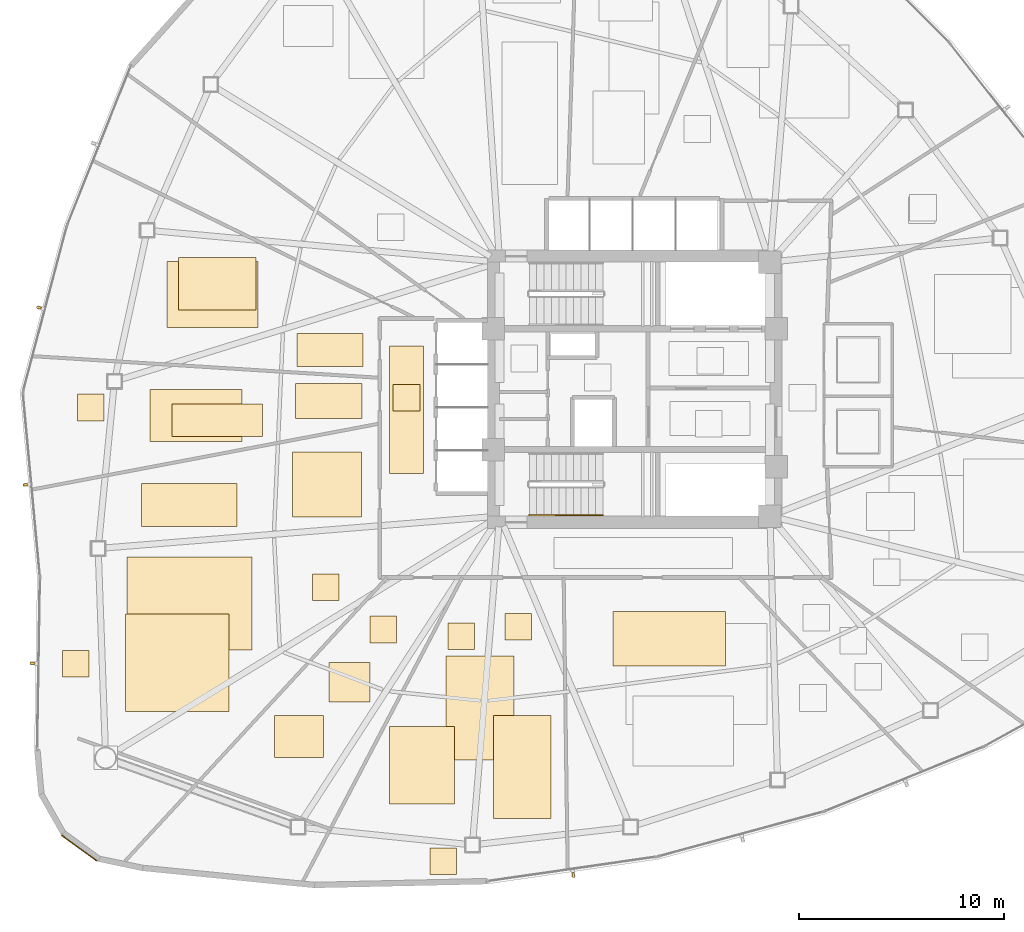
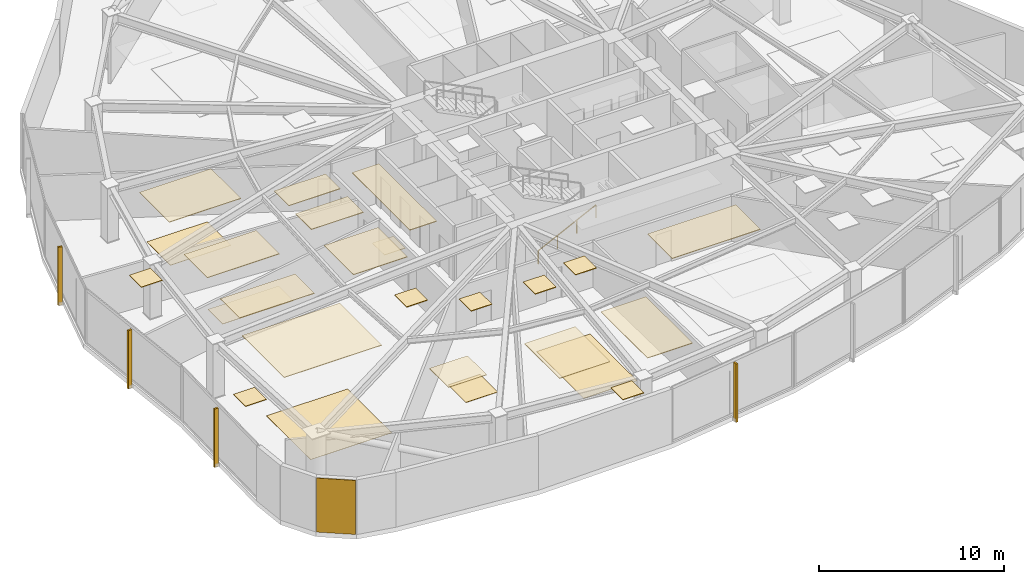
# One storey, part 14 of 17: 26 coverings, 4 shading devices, 1 railing.
"""IFC4 building model written with IfcOpenShell, lengths in metres."""

from ifc_helpers import new_model, si_unit, direction, frame, origin, origin_2d, place, context, subcontext, project, spatial, polyline, rectangle, outline, extrude, source, transform, mapped, material, layer, layer_set, type_object, type_shapes, element, save


model = new_model("IFC4")

# Units and contexts
model_context = context("Model", 3, precision=1e-05, world=origin(), true_north=direction((0.0, 1.0)))
body_context = subcontext(model_context, "Body", "Model", "MODEL_VIEW")
ifc_project = project(units=[si_unit("LENGTHUNIT", "METRE"), si_unit("AREAUNIT", "SQUARE_METRE"), si_unit("VOLUMEUNIT", "CUBIC_METRE"), si_unit("PLANEANGLEUNIT", "RADIAN"), si_unit("MASSUNIT", "GRAM", prefix="KILO")], contexts=[model_context])

# Site, building, storey
site_placement = place(None, origin())
site = spatial("IfcSite", under=ifc_project, at=site_placement, CompositionType="ELEMENT")
building_placement = place(site_placement, origin())
building = spatial("IfcBuilding", under=site, at=building_placement, Name="Tavelor Broadcast Tower", CompositionType="ELEMENT")
storey_placement = place(building_placement, frame((0.0, 0.0, 74.39990234375)))
storey = spatial("IfcBuildingStorey", under=building, at=storey_placement, Name="L17", CompositionType="ELEMENT", Elevation=74.39990234375)

# Coverings
ifc_material_1 = material(Name="Copper-Bronze Anodized Aluminium", Category="aluminium")
ifc_layer_1 = layer(ifc_material_1, 0.044921875)
ifc_layer_set_1 = layer_set([ifc_layer_1], Name="Copper-Bronze Anodized Aluminium")
covering_type_1 = type_object("IfcCoveringType", Name="Anodised Bronze Linear Slatted Concourse Ceiling 45 mm", PredefinedType="CEILING", material=ifc_layer_set_1)
covering_1_placement = place(storey_placement, frame((0.0, 0.0, 3.55517578125)))
element("IfcCovering", 1, at=covering_1_placement, inside=storey, type_object=covering_type_1, Name="L17 Suspended Acoustic Ceiling 0691", PredefinedType="CEILING", context=body_context, shape_type="SweptSolid", body=[
    extrude(outline(polyline([(38.01611328125, 40.868896484375), (39.683837890625, 40.868896484375), (39.683837890625, 47.096923828125), (38.01611328125, 47.096923828125), (38.01611328125, 40.868896484375)])), origin(), (0.0, 0.0, 1.0), 0.044921875),
])
ifc_layer_2 = layer(ifc_material_1, 0.050048828125)
ifc_layer_set_2 = layer_set([ifc_layer_2], Name="Copper-Bronze Anodized Aluminium")
covering_type_2 = type_object("IfcCoveringType", Name="Champagne-Bronze Corner Pier Metal Cladding 50 mm", PredefinedType="CLADDING", material=ifc_layer_set_2)
covering_2_placement = place(storey_placement, frame((22.87158203125, 22.583984375, 0.02001953125), z_axis=(0.0, 0.0, 1.0), x_axis=(0.807475405485, -0.589901237104, 0.0)))
element("IfcCovering", 2, at=covering_2_placement, inside=storey, type_object=covering_type_2, Name="L17 Champagne-Bronze Corner Cladding 13", PredefinedType="CLADDING", context=body_context, shape_type="SweptSolid", body=[
    extrude(rectangle(XDim=2.11962890625, YDim=0.050048828125, at=origin_2d()), origin(), (0.0, 0.0, 1.0), 3.56005859375),
])

# Railing
ifc_material_2 = material(Name="Steel S355", Category="steel")
railing_type = type_object("IfcRailingType", Name="Continuous Brushed Stainless Handrail 900 mm", PredefinedType="HANDRAIL", material=ifc_material_2)
railing_placement = place(storey_placement, frame((44.85009765625, 38.85009765625, 0.177490234375)))
element("IfcRailing", 3, at=railing_placement, inside=storey, type_object=railing_type, Name="L17 ST2 stair handrail 1", PredefinedType="HANDRAIL", context=body_context, shape_type="SweptSolid", body=[
    extrude(rectangle(XDim=0.048095703125, YDim=0.048095703125, at=origin_2d()), frame((0.0, 0.0, 0.8759765625), z_axis=(0.897124305991, 0.0, 0.441778201817), x_axis=(0.0, 1.0, 0.0)), (0.0, 0.0, 1.0), 4.0126953125),
    extrude(rectangle(XDim=0.0419921875, YDim=0.0419921875, at=origin_2d()), origin(), (0.0, 0.0, 1.0), 0.851806640625),
    extrude(rectangle(XDim=0.0419921875, YDim=0.0419921875, at=origin_2d()), frame((1.199951171875, 0.0, 0.5908203125)), (0.0, 0.0, 1.0), 0.851806640625),
    extrude(rectangle(XDim=0.0419921875, YDim=0.0419921875, at=origin_2d()), frame((2.39990234375, 0.0, 1.181884765625)), (0.0, 0.0, 1.0), 0.851806640625),
    extrude(rectangle(XDim=0.0419921875, YDim=0.0419921875, at=origin_2d()), frame((3.599853515625, 0.0, 1.772705078125)), (0.0, 0.0, 1.0), 0.851806640625),
])

# Coverings
ifc_material_3 = material(Name="Acoustic Nylon Carpet Tile")
ifc_layer_3 = layer(ifc_material_3, 0.02001953125)
ifc_layer_set_3 = layer_set([ifc_layer_3], Name="Acoustic Nylon Carpet Tile")
covering_type_3 = type_object("IfcCoveringType", Name="Heavy-Duty Acoustic Broadcast Carpet Tile 20 mm", PredefinedType="FLOORING", material=ifc_layer_set_3)
covering_3_placement = place(storey_placement, origin())
element("IfcCovering", 4, at=covering_3_placement, inside=storey, type_object=covering_type_3, Name="L17 Broadcast Floor Finish 0243", PredefinedType="FLOORING", context=body_context, shape_type="SweptSolid", body=[
    extrude(outline(polyline([(40.779296875, 26.881591796875), (44.10498046875, 26.881591796875), (44.10498046875, 31.9638671875), (40.779296875, 31.9638671875), (40.779296875, 26.881591796875)])), origin(), (0.0, 0.0, 1.0), 0.02001953125),
])
covering_4_placement = place(storey_placement, origin())
element("IfcCovering", 5, at=covering_4_placement, inside=storey, type_object=covering_type_3, Name="L17 Broadcast Floor Finish 0244", PredefinedType="FLOORING", context=body_context, shape_type="SweptSolid", body=[
    extrude(outline(polyline([(35.07373046875, 29.72265625), (37.064208984375, 29.72265625), (37.064208984375, 31.639404296875), (35.07373046875, 31.639404296875), (35.07373046875, 29.72265625)])), origin(), (0.0, 0.0, 1.0), 0.02001953125),
])
covering_5_placement = place(storey_placement, origin())
element("IfcCovering", 6, at=covering_5_placement, inside=storey, type_object=covering_type_3, Name="L17 Broadcast Floor Finish 0245", PredefinedType="FLOORING", context=body_context, shape_type="SweptSolid", body=[
    extrude(outline(polyline([(25.130615234375, 29.256103515625), (30.18798828125, 29.256103515625), (30.18798828125, 34.021728515625), (25.130615234375, 34.021728515625), (25.130615234375, 29.256103515625)])), origin(), (0.0, 0.0, 1.0), 0.02001953125),
])
covering_6_placement = place(storey_placement, origin())
element("IfcCovering", 7, at=covering_6_placement, inside=storey, type_object=covering_type_3, Name="L17 Broadcast Floor Finish 0246", PredefinedType="FLOORING", context=body_context, shape_type="SweptSolid", body=[
    extrude(outline(polyline([(27.395751953125, 42.67529296875), (31.81201171875, 42.67529296875), (31.81201171875, 44.2705078125), (27.395751953125, 44.2705078125), (27.395751953125, 42.67529296875)])), origin(), (0.0, 0.0, 1.0), 0.02001953125),
])
covering_7_placement = place(storey_placement, origin())
element("IfcCovering", 8, at=covering_7_placement, inside=storey, type_object=covering_type_3, Name="L17 Broadcast Floor Finish 0247", PredefinedType="FLOORING", context=body_context, shape_type="SweptSolid", body=[
    extrude(outline(polyline([(27.718994140625, 48.868896484375), (31.49951171875, 48.868896484375), (31.49951171875, 51.42236328125), (27.718994140625, 51.42236328125), (27.718994140625, 48.868896484375)])), origin(), (0.0, 0.0, 1.0), 0.02001953125),
])
ifc_material_4 = material(Name="Honed Natural Limestone Tile", Category="masonry")
ifc_layer_4 = layer(ifc_material_4, 0.030029296875)
ifc_layer_set_4 = layer_set([ifc_layer_4], Name="Honed Natural Limestone Tile")
covering_type_4 = type_object("IfcCoveringType", Name="Honed Jerusalem Limestone Concourse Flooring 30 mm", PredefinedType="FLOORING", material=ifc_layer_set_4)
covering_8_placement = place(storey_placement, origin())
element("IfcCovering", 9, at=covering_8_placement, inside=storey, type_object=covering_type_4, Name="L17 Broadcast Floor Finish 0238", PredefinedType="FLOORING", context=body_context, shape_type="SweptSolid", body=[
    extrude(outline(polyline([(38.199951171875, 43.925048828125), (39.5, 43.925048828125), (39.5, 45.22509765625), (38.199951171875, 45.22509765625), (38.199951171875, 43.925048828125)])), origin(), (0.0, 0.0, 1.0), 0.030029296875),
])
ifc_material_5 = material(Name="Acoustic Mineral Fibre Tile")
ifc_layer_5 = layer(ifc_material_5, 0.0400390625)
ifc_layer_set_5 = layer_set([ifc_layer_5], Name="Acoustic Mineral Fibre Tile")
covering_type_5 = type_object("IfcCoveringType", Name="Suspended Acoustic Mineral-Fibre Office Ceiling 40 mm", PredefinedType="CEILING", material=ifc_layer_set_5)
covering_9_placement = place(storey_placement, frame((0.0, 0.0, 3.56005859375)))
element("IfcCovering", 10, at=covering_9_placement, inside=storey, type_object=covering_type_5, Name="L17 Suspended Acoustic Ceiling 0696", PredefinedType="CEILING", context=body_context, shape_type="SweptSolid", body=[
    extrude(outline(polyline([(48.93310546875, 31.4697265625), (54.43603515625, 31.4697265625), (54.43603515625, 34.13134765625), (48.93310546875, 34.13134765625), (48.93310546875, 31.4697265625)])), origin(), (0.0, 0.0, 1.0), 0.0400390625),
])
covering_10_placement = place(storey_placement, frame((0.0, 0.0, 3.56005859375)))
element("IfcCovering", 11, at=covering_10_placement, inside=storey, type_object=covering_type_5, Name="L17 Suspended Acoustic Ceiling 0699", PredefinedType="CEILING", context=body_context, shape_type="SweptSolid", body=[
    extrude(outline(polyline([(38.029052734375, 24.7421875), (41.1904296875, 24.7421875), (41.1904296875, 28.5283203125), (38.029052734375, 28.5283203125), (38.029052734375, 24.7421875)])), origin(), (0.0, 0.0, 1.0), 0.0400390625),
])
covering_11_placement = place(storey_placement, frame((0.0, 0.0, 3.56005859375)))
element("IfcCovering", 12, at=covering_11_placement, inside=storey, type_object=covering_type_5, Name="L17 Suspended Acoustic Ceiling 0700", PredefinedType="CEILING", context=body_context, shape_type="SweptSolid", body=[
    extrude(outline(polyline([(40.868408203125, 32.272705078125), (42.168212890625, 32.272705078125), (42.168212890625, 33.572509765625), (40.868408203125, 33.572509765625), (40.868408203125, 32.272705078125)])), origin(), (0.0, 0.0, 1.0), 0.0400390625),
])
covering_12_placement = place(storey_placement, frame((0.0, 0.0, 3.56005859375)))
element("IfcCovering", 13, at=covering_12_placement, inside=storey, type_object=covering_type_5, Name="L17 Suspended Acoustic Ceiling 0701", PredefinedType="CEILING", context=body_context, shape_type="SweptSolid", body=[
    extrude(outline(polyline([(43.654541015625, 32.74755859375), (44.95458984375, 32.74755859375), (44.95458984375, 34.047607421875), (43.654541015625, 34.047607421875), (43.654541015625, 32.74755859375)])), origin(), (0.0, 0.0, 1.0), 0.0400390625),
])
covering_13_placement = place(storey_placement, frame((0.0, 0.0, 3.56005859375)))
element("IfcCovering", 14, at=covering_13_placement, inside=storey, type_object=covering_type_5, Name="L17 Suspended Acoustic Ceiling 0702", PredefinedType="CEILING", context=body_context, shape_type="SweptSolid", body=[
    extrude(outline(polyline([(43.102294921875, 24.02880859375), (45.912109375, 24.02880859375), (45.912109375, 29.0615234375), (43.102294921875, 29.0615234375), (43.102294921875, 24.02880859375)])), origin(), (0.0, 0.0, 1.0), 0.0400390625),
])
covering_14_placement = place(storey_placement, frame((0.0, 0.0, 3.56005859375)))
element("IfcCovering", 15, at=covering_14_placement, inside=storey, type_object=covering_type_5, Name="L17 Suspended Acoustic Ceiling 0703", PredefinedType="CEILING", context=body_context, shape_type="SweptSolid", body=[
    extrude(outline(polyline([(39.990478515625, 21.29638671875), (41.29052734375, 21.29638671875), (41.29052734375, 22.596435546875), (39.990478515625, 22.596435546875), (39.990478515625, 21.29638671875)])), origin(), (0.0, 0.0, 1.0), 0.0400390625),
])
covering_15_placement = place(storey_placement, frame((0.0, 0.0, 3.56005859375)))
element("IfcCovering", 16, at=covering_15_placement, inside=storey, type_object=covering_type_5, Name="L17 Suspended Acoustic Ceiling 0704", PredefinedType="CEILING", context=body_context, shape_type="SweptSolid", body=[
    extrude(outline(polyline([(32.41748046875, 27.000732421875), (34.799560546875, 27.000732421875), (34.799560546875, 29.06494140625), (32.41748046875, 29.06494140625), (32.41748046875, 27.000732421875)])), origin(), (0.0, 0.0, 1.0), 0.0400390625),
])
covering_16_placement = place(storey_placement, frame((0.0, 0.0, 3.56005859375)))
element("IfcCovering", 17, at=covering_16_placement, inside=storey, type_object=covering_type_5, Name="L17 Suspended Acoustic Ceiling 0705", PredefinedType="CEILING", context=body_context, shape_type="SweptSolid", body=[
    extrude(outline(polyline([(37.070556640625, 32.61328125), (38.37060546875, 32.61328125), (38.37060546875, 33.913330078125), (37.070556640625, 33.913330078125), (37.070556640625, 32.61328125)])), origin(), (0.0, 0.0, 1.0), 0.0400390625),
])
covering_17_placement = place(storey_placement, frame((0.0, 0.0, 3.56005859375)))
element("IfcCovering", 18, at=covering_17_placement, inside=storey, type_object=covering_type_5, Name="L17 Suspended Acoustic Ceiling 0706", PredefinedType="CEILING", context=body_context, shape_type="SweptSolid", body=[
    extrude(outline(polyline([(22.048095703125, 30.939697265625), (23.34814453125, 30.939697265625), (23.34814453125, 32.239501953125), (22.048095703125, 32.239501953125), (22.048095703125, 30.939697265625)])), origin(), (0.0, 0.0, 1.0), 0.0400390625),
])
covering_18_placement = place(storey_placement, frame((0.0, 0.0, 3.56005859375)))
element("IfcCovering", 19, at=covering_18_placement, inside=storey, type_object=covering_type_5, Name="L17 Suspended Acoustic Ceiling 0707", PredefinedType="CEILING", context=body_context, shape_type="SweptSolid", body=[
    extrude(outline(polyline([(25.921630859375, 38.293212890625), (30.58642578125, 38.293212890625), (30.58642578125, 40.3837890625), (25.921630859375, 40.3837890625), (25.921630859375, 38.293212890625)])), origin(), (0.0, 0.0, 1.0), 0.0400390625),
])
covering_19_placement = place(storey_placement, frame((0.0, 0.0, 3.56005859375)))
element("IfcCovering", 20, at=covering_19_placement, inside=storey, type_object=covering_type_5, Name="L17 Suspended Acoustic Ceiling 0708", PredefinedType="CEILING", context=body_context, shape_type="SweptSolid", body=[
    extrude(outline(polyline([(33.28466796875, 38.75048828125), (36.64892578125, 38.75048828125), (36.64892578125, 41.927001953125), (33.28466796875, 41.927001953125), (33.28466796875, 38.75048828125)])), origin(), (0.0, 0.0, 1.0), 0.0400390625),
])
covering_20_placement = place(storey_placement, frame((0.0, 0.0, 3.56005859375)))
element("IfcCovering", 21, at=covering_20_placement, inside=storey, type_object=covering_type_5, Name="L17 Suspended Acoustic Ceiling 0709", PredefinedType="CEILING", context=body_context, shape_type="SweptSolid", body=[
    extrude(outline(polyline([(34.251220703125, 34.6806640625), (35.551025390625, 34.6806640625), (35.551025390625, 35.980712890625), (34.251220703125, 35.980712890625), (34.251220703125, 34.6806640625)])), origin(), (0.0, 0.0, 1.0), 0.0400390625),
])
covering_21_placement = place(storey_placement, frame((0.0, 0.0, 3.56005859375)))
element("IfcCovering", 22, at=covering_21_placement, inside=storey, type_object=covering_type_5, Name="L17 Suspended Acoustic Ceiling 0710", PredefinedType="CEILING", context=body_context, shape_type="SweptSolid", body=[
    extrude(outline(polyline([(25.208740234375, 32.24951171875), (31.298828125, 32.24951171875), (31.298828125, 36.802734375), (25.208740234375, 36.802734375), (25.208740234375, 32.24951171875)])), origin(), (0.0, 0.0, 1.0), 0.0400390625),
])
covering_22_placement = place(storey_placement, frame((0.0, 0.0, 3.56005859375)))
element("IfcCovering", 23, at=covering_22_placement, inside=storey, type_object=covering_type_5, Name="L17 Suspended Acoustic Ceiling 0711", PredefinedType="CEILING", context=body_context, shape_type="SweptSolid", body=[
    extrude(outline(polyline([(33.44140625, 43.568603515625), (36.67431640625, 43.568603515625), (36.67431640625, 45.27490234375), (33.44140625, 45.27490234375), (33.44140625, 43.568603515625)])), origin(), (0.0, 0.0, 1.0), 0.0400390625),
])
covering_23_placement = place(storey_placement, frame((0.0, 0.0, 3.56005859375)))
element("IfcCovering", 24, at=covering_23_placement, inside=storey, type_object=covering_type_5, Name="L17 Suspended Acoustic Ceiling 0712", PredefinedType="CEILING", context=body_context, shape_type="SweptSolid", body=[
    extrude(outline(polyline([(26.31787109375, 42.4482421875), (30.81103515625, 42.4482421875), (30.81103515625, 44.970703125), (26.31787109375, 44.970703125), (26.31787109375, 42.4482421875)])), origin(), (0.0, 0.0, 1.0), 0.0400390625),
])
covering_24_placement = place(storey_placement, frame((0.0, 0.0, 3.56005859375)))
element("IfcCovering", 25, at=covering_24_placement, inside=storey, type_object=covering_type_5, Name="L17 Suspended Acoustic Ceiling 0713", PredefinedType="CEILING", context=body_context, shape_type="SweptSolid", body=[
    extrude(outline(polyline([(22.783447265625, 43.4541015625), (24.08349609375, 43.4541015625), (24.08349609375, 44.75390625), (22.783447265625, 44.75390625), (22.783447265625, 43.4541015625)])), origin(), (0.0, 0.0, 1.0), 0.0400390625),
])
covering_25_placement = place(storey_placement, frame((0.0, 0.0, 3.56005859375)))
element("IfcCovering", 26, at=covering_25_placement, inside=storey, type_object=covering_type_5, Name="L17 Suspended Acoustic Ceiling 0714", PredefinedType="CEILING", context=body_context, shape_type="SweptSolid", body=[
    extrude(outline(polyline([(33.51025390625, 46.114501953125), (36.716552734375, 46.114501953125), (36.716552734375, 47.706787109375), (33.51025390625, 47.706787109375), (33.51025390625, 46.114501953125)])), origin(), (0.0, 0.0, 1.0), 0.0400390625),
])
covering_26_placement = place(storey_placement, frame((0.0, 0.0, 3.56005859375)))
element("IfcCovering", 27, at=covering_26_placement, inside=storey, type_object=covering_type_5, Name="L17 Suspended Acoustic Ceiling 0715", PredefinedType="CEILING", context=body_context, shape_type="SweptSolid", body=[
    extrude(outline(polyline([(27.154052734375, 48.0029296875), (31.608642578125, 48.0029296875), (31.608642578125, 51.229736328125), (27.154052734375, 51.229736328125), (27.154052734375, 48.0029296875)])), origin(), (0.0, 0.0, 1.0), 0.0400390625),
])

# Shading devices
ifc_material_6 = material(Name="Kiln-Fired Glazed Terracotta", Category="masonry")
shading_device_type = type_object("IfcShadingDeviceType", Name="Extruded Terracotta Baguette Sun-Screen 110x240", PredefinedType="JALOUSIE", material=ifc_material_6)
shared_shape = source(origin(), body_context, "Body", "SweptSolid", [
    extrude(rectangle(XDim=0.110107421875, YDim=0.239990234375, at=origin_2d()), origin(), (0.0, 0.0, 1.0), 3.840087890625),
])
type_shapes(shading_device_type, [shared_shape])
for number, where, z_axis, x_axis, name in (
    (28, (20.90380859375, 48.980712890625, -0.259765625), (0.0, 0.0, 1.0), (-0.255951950439, -0.966689504994, 0.0), "L17 Terracotta Baguette Fin 158"),
    (29, (20.236572265625, 40.326904296875, -0.259765625), (0.0, 0.0, 1.0), (0.092196799296, -0.995740804728, 0.0), "L17 Terracotta Baguette Fin 159"),
    (30, (20.5859375, 31.6064453125, -0.259765625), (0.0, 0.0, 1.0), (-0.016056339135, -0.999871088678, 0.0), "L17 Terracotta Baguette Fin 160"),
    (31, (46.998046875, 21.271484375, -0.259765625), (0.0, 0.0, 1.0), (0.989726383718, 0.142974422091, 0.0), "L17 Terracotta Baguette Fin 161"),
):
    element("IfcShadingDevice", number, at=place(storey_placement, frame(where, z_axis=z_axis, x_axis=x_axis)), inside=storey, type_object=shading_device_type, Name=name, PredefinedType="JALOUSIE", context=body_context, shape_type="MappedRepresentation", body=[
        mapped(shared_shape, transform((0.0, 0.0, 0.0), scale=1.0)),
    ])

save(model, "model.ifc")
